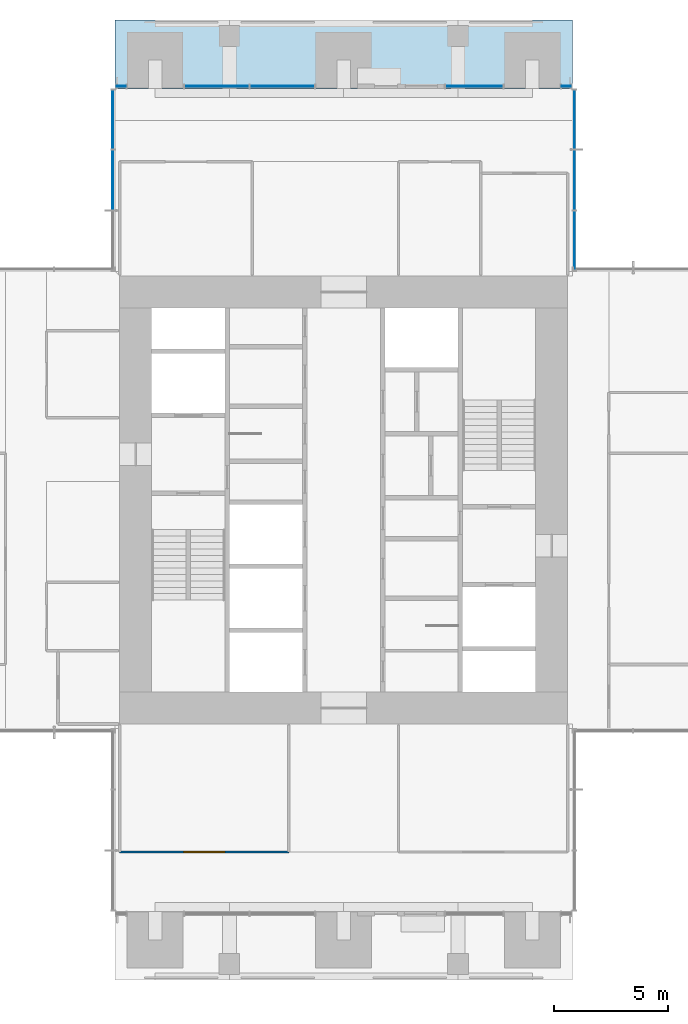
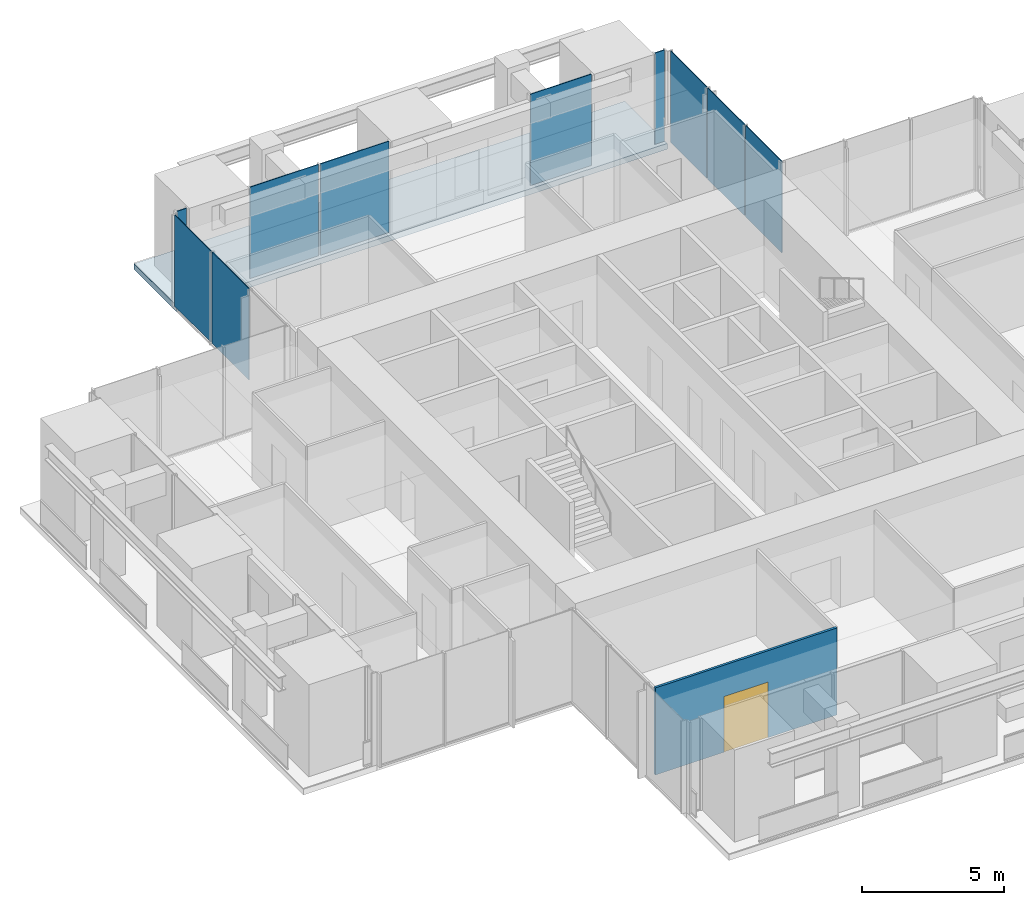
# One storey, part 11 of 17: 10 plates, 1 door, 1 slab, 1 wall, 1 opening, 6 elements without a shape of their own.
"""IFC4 building model written with IfcOpenShell, lengths in metres."""

import ifcopenshell
import ifcopenshell.guid

model = None  # the IFC model being written
_history = None  # IfcOwnerHistory: only IFC2X3 demands one
_inside = {}  # id of a spatial element -> (the spatial element, [elements in it])
_under = {}  # id of a project, library or spatial element -> (it, [spatial elements below it])
_declared = {}  # id of a project -> (the project, [libraries it declares])
_typed = {}  # id of a type object -> (the type object, [elements of that type])
_made_of = {}  # id of a material, layer set ... -> (it, [elements and type objects made of it])


def new_model(schema):
    """Start an empty IFC model of exactly this schema.

    Asked for "IFC4X3", IfcOpenShell would pick the latest addendum, in which some entities
    have other attributes; the version numbers below select the first issue.
    IFC2X3 requires an IfcOwnerHistory on every rooted entity: one is made here for all.
    """
    global model, _history
    if schema == "IFC4X3":
        model = ifcopenshell.file(schema_version=(4, 3, 0, 0))
    else:
        model = ifcopenshell.file(schema=schema)
    _inside.clear()
    _under.clear()
    _declared.clear()
    _typed.clear()
    _made_of.clear()
    _history = None
    if model.schema == "IFC2X3":
        org = make("IfcOrganization", Name="unknown")
        user = make(
            "IfcPersonAndOrganization",
            ThePerson=make("IfcPerson", FamilyName="unknown"),
            TheOrganization=org,
        )
        app = make(
            "IfcApplication",
            ApplicationDeveloper=org,
            Version="unknown",
            ApplicationFullName="unknown",
            ApplicationIdentifier="unknown",
        )
        _history = make(
            "IfcOwnerHistory",
            OwningUser=user,
            OwningApplication=app,
            ChangeAction="ADDED",
            CreationDate=0,
        )
    return model


def make(cls, **values):
    """One entity of the class cls with the attributes given. An attribute that is None is left unset."""
    return model.create_entity(
        cls, **{name: value for name, value in values.items() if value is not None}
    )


def rooted(cls, **values):
    """An entity with a GlobalId (a new one), such as an element, a storey or a relation."""
    return make(cls, GlobalId=ifcopenshell.guid.new(), OwnerHistory=_history, **values)


def si_unit(unit_type, name, prefix=None):
    """IfcSIUnit, for example si_unit("LENGTHUNIT", "METRE", prefix="MILLI")."""
    return make("IfcSIUnit", UnitType=unit_type, Prefix=prefix, Name=name)


def assignment(units):
    """IfcUnitAssignment: the units of a project."""
    return None if units is None else make("IfcUnitAssignment", Units=units)


def point(xyz):
    """IfcCartesianPoint."""
    return None if xyz is None else make("IfcCartesianPoint", Coordinates=xyz)


def direction(xyz):
    """IfcDirection."""
    return None if xyz is None else make("IfcDirection", DirectionRatios=xyz)


def frame(location, z_axis=None, x_axis=None):
    """IfcAxis2Placement3D, a coordinate frame: its origin and axes. An axis left out is left unset."""
    return make(
        "IfcAxis2Placement3D",
        Location=point(location),
        Axis=direction(z_axis),
        RefDirection=direction(x_axis),
    )


def frame_2d(location, x_axis=None):
    """IfcAxis2Placement2D, a coordinate frame in the plane: its origin and x axis."""
    return make(
        "IfcAxis2Placement2D", Location=point(location), RefDirection=direction(x_axis)
    )


def origin():
    """The frame at (0, 0, 0) with its axes left unset."""
    return frame((0.0, 0.0, 0.0))


def origin_2d():
    """The frame at (0, 0) in the plane with its x axis left unset."""
    return frame_2d((0.0, 0.0))


def place(relative_to, where):
    """IfcLocalPlacement: puts the frame where relative to a parent placement (None: the world)."""
    return make(
        "IfcLocalPlacement", PlacementRelTo=relative_to, RelativePlacement=where
    )


def context(
    kind, dimensions, precision=None, world=None, true_north=None, identifier=None
):
    """IfcGeometricRepresentationContext, for example the 3D "Model" context."""
    return make(
        "IfcGeometricRepresentationContext",
        ContextIdentifier=identifier,
        ContextType=kind,
        CoordinateSpaceDimension=dimensions,
        Precision=precision,
        WorldCoordinateSystem=world,
        TrueNorth=true_north,
    )


def subcontext(parent, identifier, kind, view, scale=None):
    """IfcGeometricRepresentationSubContext, for example "Body" below "Model"."""
    return make(
        "IfcGeometricRepresentationSubContext",
        ContextIdentifier=identifier,
        ContextType=kind,
        ParentContext=parent,
        TargetScale=scale,
        TargetView=view,
    )


def project(units=None, contexts=None):
    """IfcProject with its units and contexts."""
    return rooted(
        "IfcProject",
        Name="project",
        RepresentationContexts=contexts,
        UnitsInContext=assignment(units),
    )


def spatial(cls, under=None, at=None, **own):
    """A site, building, storey or space (cls), placed at a placement, below another one or the project."""
    s = rooted(cls, ObjectPlacement=at, **own)
    if under is not None:
        _under.setdefault(under.id(), (under, []))[1].append(s)
    return s


def polyline(points):
    """IfcPolyline through the points."""
    return make("IfcPolyline", Points=[point(p) for p in points])


def profile(cls, at=None, kind="AREA", **sizes):
    """A parametric profile (cls). Its sizes go by their IFC names, for example OverallWidth=200.0."""
    return make(cls, ProfileType=kind, Position=at, **sizes)


def rectangle(**sizes):
    """IfcRectangleProfileDef."""
    return profile("IfcRectangleProfileDef", **sizes)


def outline(outer, holes=None, kind="AREA"):
    """IfcArbitraryClosedProfileDef: a profile drawn as a closed curve; with holes, ...WithVoids."""
    if holes is None:
        return make("IfcArbitraryClosedProfileDef", ProfileType=kind, OuterCurve=outer)
    return make(
        "IfcArbitraryProfileDefWithVoids",
        ProfileType=kind,
        OuterCurve=outer,
        InnerCurves=holes,
    )


def extrude(swept, where, along, depth):
    """IfcExtrudedAreaSolid: the profile swept, set in the frame where, extruded along a direction by depth."""
    return make(
        "IfcExtrudedAreaSolid",
        SweptArea=swept,
        Position=where,
        ExtrudedDirection=direction(along),
        Depth=depth,
    )


def shape(context_of_items, identifier, shape_type, items):
    """IfcShapeRepresentation: the items that make up one representation, for example the "Body"."""
    return make(
        "IfcShapeRepresentation",
        ContextOfItems=context_of_items,
        RepresentationIdentifier=identifier,
        RepresentationType=shape_type,
        Items=items,
    )


def material(Name=None, Category=None):
    """IfcMaterial."""
    return make("IfcMaterial", Name=Name, Category=Category)


def layer(
    of_material, thickness, ventilated=None, Name=None, Category=None, Priority=None
):
    """IfcMaterialLayer: one layer of a wall or slab, of a material (None: an air gap)."""
    return make(
        "IfcMaterialLayer",
        Material=of_material,
        LayerThickness=thickness,
        IsVentilated=ventilated,
        Name=Name,
        Category=Category,
        Priority=Priority,
    )


def layer_set(layers, Name=None):
    """IfcMaterialLayerSet."""
    return make("IfcMaterialLayerSet", MaterialLayers=layers, LayerSetName=Name)


def made_of(thing, what):
    """Note that an element or type object is made of a material, layer set ...; save() writes the relation."""
    if what is not None:
        _made_of.setdefault(what.id(), (what, []))[1].append(thing)
    return thing


def type_object(cls, material=None, **own):
    """A type object (cls), such as IfcWallType, which elements share."""
    return made_of(rooted(cls, **own), material)


def element(
    cls,
    number,
    at=None,
    inside=None,
    cuts=None,
    type_object=None,
    material=None,
    context=None,
    identifier="Body",
    shape_type=None,
    held_by="IfcProductDefinitionShape",
    body=None,
    shapes=None,
    **own,
):
    """One element of the class cls, such as IfcWall. Its Tag is "e" and its number.

    at: its placement. inside: the storey or other place that contains it. cuts: it is an
    opening in that element (IfcRelVoidsElement). A single representation is given by context,
    identifier, shape_type and body (its items); several are given by shapes. held_by: the class
    of the entity that holds the representations. save() writes the other relations.
    """
    e = rooted(cls, Tag="e%d" % number, ObjectPlacement=at, **own)
    if body is not None:
        shapes = [shape(context, identifier, shape_type, body)]
    if shapes is not None:
        e.Representation = make(held_by, Representations=shapes)
    if inside is not None:
        _inside.setdefault(inside.id(), (inside, []))[1].append(e)
    if cuts is not None:
        rooted(
            "IfcRelVoidsElement", RelatingBuildingElement=cuts, RelatedOpeningElement=e
        )
    if type_object is not None:
        _typed.setdefault(type_object.id(), (type_object, []))[1].append(e)
    return made_of(e, material)


def fill(opening, filler):
    """IfcRelFillsElement: the door or window that sits in an opening."""
    return rooted(
        "IfcRelFillsElement",
        RelatingOpeningElement=opening,
        RelatedBuildingElement=filler,
    )


def aggregate(whole, parts):
    """IfcRelAggregates: a whole, such as a stair, and the parts it consists of."""
    return rooted("IfcRelAggregates", RelatingObject=whole, RelatedObjects=parts)


def save(model, path):
    """Write the relations noted so far, then the file.

    IfcRelAggregates (storeys below a building ...), IfcRelContainedInSpatialStructure (elements
    in a storey), IfcRelDefinesByType, IfcRelAssociatesMaterial and IfcRelDeclares: one each for
    every whole, place, type object, material and project.
    """
    for whole, parts in _under.values():
        aggregate(whole, parts)
    for where, things in _inside.values():
        rooted(
            "IfcRelContainedInSpatialStructure",
            RelatedElements=things,
            RelatingStructure=where,
        )
    for kind, things in _typed.values():
        rooted("IfcRelDefinesByType", RelatedObjects=things, RelatingType=kind)
    for what, things in _made_of.values():
        rooted("IfcRelAssociatesMaterial", RelatedObjects=things, RelatingMaterial=what)
    for by, libraries in _declared.values():
        rooted("IfcRelDeclares", RelatingContext=by, RelatedDefinitions=libraries)
    model.write(path)


model = new_model("IFC4")

# Units and contexts
model_context = context("Model", 3, precision=1e-05, world=origin(), true_north=direction((0.0, 1.0)))
body_context = subcontext(model_context, "Body", "Model", "MODEL_VIEW")
ifc_project = project(units=[si_unit("LENGTHUNIT", "METRE"), si_unit("AREAUNIT", "SQUARE_METRE"), si_unit("VOLUMEUNIT", "CUBIC_METRE"), si_unit("PLANEANGLEUNIT", "RADIAN"), si_unit("MASSUNIT", "GRAM", prefix="KILO")], contexts=[model_context])

# Site, building, storey
site_placement = place(None, origin())
site = spatial("IfcSite", under=ifc_project, at=site_placement, CompositionType="ELEMENT")
building_placement = place(site_placement, origin())
building = spatial("IfcBuilding", under=site, at=building_placement, Name="Svetlomir Tower", CompositionType="ELEMENT")
storey_placement = place(building_placement, frame((0.0, 0.0, 210.5)))
storey = spatial("IfcBuildingStorey", under=building, at=storey_placement, Name="L50", CompositionType="ELEMENT", Elevation=210.5)

# Curtain wall, plates
ifc_material_1 = material(Name="Bronze anodised aluminium curtain wall", Category="aluminium")
curtain_wall_type = type_object("IfcCurtainWallType", Name="CURTAIN WALL CW1 TOWER OFFICE", PredefinedType="NOTDEFINED", material=ifc_material_1)
curtain_wall_1_placement = place(storey_placement, origin())
curtain_wall_1 = element("IfcCurtainWall", 1, at=curtain_wall_1_placement, inside=storey, type_object=curtain_wall_type, Name="Curtain wall CW1 L50", PredefinedType="NOTDEFINED")
ifc_material_2 = material(Name="Tinted double glazed unit", Category="glass")
ifc_layer_1 = layer(ifc_material_2, 0.031982421875)
ifc_layer_set_1 = layer_set([ifc_layer_1], Name="Tinted double glazed unit")
plate_type = type_object("IfcPlateType", Name="CW1 GLAZED PANEL 32", PredefinedType="CURTAIN_PANEL", material=ifc_layer_set_1)
plate_1_placement = place(storey_placement, frame((31.10009765625, 32.349609375, 0.06494140625), z_axis=(0.0, 0.0, 1.0), x_axis=(0.0, 1.0, 0.0)))
plate_1 = element("IfcPlate", 2, at=plate_1_placement, type_object=plate_type, Name="CW1 panel 1.1", PredefinedType="CURTAIN_PANEL", context=body_context, shape_type="SweptSolid", body=[
    extrude(rectangle(XDim=2.569091796875, YDim=0.031982421875, at=origin_2d()), origin(), (0.0, 0.0, 1.0), 3.93505859375),
])
plate_2_placement = place(storey_placement, frame((31.10009765625, 35.0, 0.06494140625), z_axis=(0.0, 0.0, 1.0), x_axis=(0.0, 1.0, 0.0)))
plate_2 = element("IfcPlate", 3, at=plate_2_placement, type_object=plate_type, Name="CW1 panel 2.1", PredefinedType="CURTAIN_PANEL", context=body_context, shape_type="SweptSolid", body=[
    extrude(rectangle(XDim=2.6015625, YDim=0.031982421875, at=origin_2d()), origin(), (0.0, 0.0, 1.0), 3.93505859375),
])
plate_3_placement = place(storey_placement, frame((31.10009765625, 37.650390625, 0.06494140625), z_axis=(0.0, 0.0, 1.0), x_axis=(0.0, 1.0, 0.0)))
plate_3 = element("IfcPlate", 4, at=plate_3_placement, type_object=plate_type, Name="CW1 panel 3.1", PredefinedType="CURTAIN_PANEL", context=body_context, shape_type="SweptSolid", body=[
    extrude(rectangle(XDim=2.569091796875, YDim=0.031982421875, at=origin_2d()), origin(), (0.0, 0.0, 1.0), 3.93505859375),
])
aggregate(curtain_wall_1, [plate_1, plate_2, plate_3])

# Curtain wall, plate
curtain_wall_2_placement = place(storey_placement, origin())
curtain_wall_2 = element("IfcCurtainWall", 5, at=curtain_wall_2_placement, inside=storey, type_object=curtain_wall_type, Name="Curtain wall CW1 L50", PredefinedType="NOTDEFINED")
plate_4_placement = place(storey_placement, frame((30.737548828125, 39.10009765625, 0.06494140625), z_axis=(0.0, 0.0, 1.0), x_axis=(-1.0, 0.0, 0.0)))
plate_4 = element("IfcPlate", 6, at=plate_4_placement, type_object=plate_type, Name="CW1 panel 1.1", PredefinedType="CURTAIN_PANEL", context=body_context, shape_type="SweptSolid", body=[
    extrude(rectangle(XDim=0.39501953125, YDim=0.031982421875, at=origin_2d()), origin(), (0.0, 0.0, 1.0), 3.93505859375),
])
aggregate(curtain_wall_2, [plate_4])

curtain_wall_3_placement = place(storey_placement, origin())
curtain_wall_3 = element("IfcCurtainWall", 7, at=curtain_wall_3_placement, inside=storey, type_object=curtain_wall_type, Name="Curtain wall CW1 L50", PredefinedType="NOTDEFINED")
plate_5_placement = place(storey_placement, frame((26.71240234375, 39.10009765625, 0.06494140625), z_axis=(0.0, 0.0, 1.0), x_axis=(-1.0, 0.0, 0.0)))
plate_5 = element("IfcPlate", 8, at=plate_5_placement, type_object=plate_type, Name="CW1 panel 1.1", PredefinedType="CURTAIN_PANEL", context=body_context, shape_type="SweptSolid", body=[
    extrude(rectangle(XDim=2.4951171875, YDim=0.031982421875, at=origin_2d()), origin(), (0.0, 0.0, 1.0), 3.93505859375),
])
aggregate(curtain_wall_3, [plate_5])

# Curtain wall, plates
curtain_wall_4_placement = place(storey_placement, origin())
curtain_wall_4 = element("IfcCurtainWall", 9, at=curtain_wall_4_placement, inside=storey, type_object=curtain_wall_type, Name="Curtain wall CW1 L50", PredefinedType="NOTDEFINED")
plate_6_placement = place(storey_placement, frame((18.308837890625, 39.10009765625, 0.06494140625), z_axis=(0.0, 0.0, 1.0), x_axis=(-1.0, 0.0, 0.0)))
plate_6 = element("IfcPlate", 10, at=plate_6_placement, type_object=plate_type, Name="CW1 panel 1.1", PredefinedType="CURTAIN_PANEL", context=body_context, shape_type="SweptSolid", body=[
    extrude(rectangle(XDim=2.802490234375, YDim=0.031982421875, at=origin_2d()), origin(), (0.0, 0.0, 1.0), 3.93505859375),
])
plate_7_placement = place(storey_placement, frame((15.441162109375, 39.10009765625, 0.06494140625), z_axis=(0.0, 0.0, 1.0), x_axis=(-1.0, 0.0, 0.0)))
plate_7 = element("IfcPlate", 11, at=plate_7_placement, type_object=plate_type, Name="CW1 panel 2.1", PredefinedType="CURTAIN_PANEL", context=body_context, shape_type="SweptSolid", body=[
    extrude(rectangle(XDim=2.802490234375, YDim=0.031982421875, at=origin_2d()), origin(), (0.0, 0.0, 1.0), 3.93505859375),
])
aggregate(curtain_wall_4, [plate_6, plate_7])

# Curtain wall, plate
curtain_wall_5_placement = place(storey_placement, origin())
curtain_wall_5 = element("IfcCurtainWall", 12, at=curtain_wall_5_placement, inside=storey, type_object=curtain_wall_type, Name="Curtain wall CW1 L50", PredefinedType="NOTDEFINED")
plate_8_placement = place(storey_placement, frame((11.262451171875, 39.10009765625, 0.06494140625), z_axis=(0.0, 0.0, 1.0), x_axis=(-1.0, 0.0, 0.0)))
plate_8 = element("IfcPlate", 13, at=plate_8_placement, type_object=plate_type, Name="CW1 panel 1.1", PredefinedType="CURTAIN_PANEL", context=body_context, shape_type="SweptSolid", body=[
    extrude(rectangle(XDim=0.39501953125, YDim=0.031982421875, at=origin_2d()), origin(), (0.0, 0.0, 1.0), 3.93505859375),
])
aggregate(curtain_wall_5, [plate_8])

# Curtain wall, plates
curtain_wall_6_placement = place(storey_placement, origin())
curtain_wall_6 = element("IfcCurtainWall", 14, at=curtain_wall_6_placement, inside=storey, type_object=curtain_wall_type, Name="Curtain wall CW1 L50", PredefinedType="NOTDEFINED")
plate_9_placement = place(storey_placement, frame((10.89990234375, 37.650390625, 0.06494140625), z_axis=(0.0, 0.0, 1.0), x_axis=(0.0, -1.0, 0.0)))
plate_9 = element("IfcPlate", 15, at=plate_9_placement, type_object=plate_type, Name="CW1 panel 1.1", PredefinedType="CURTAIN_PANEL", context=body_context, shape_type="SweptSolid", body=[
    extrude(rectangle(XDim=2.569091796875, YDim=0.031982421875, at=origin_2d()), origin(), (0.0, 0.0, 1.0), 3.93505859375),
])
plate_10_placement = place(storey_placement, frame((10.89990234375, 35.0, 0.06494140625), z_axis=(0.0, 0.0, 1.0), x_axis=(0.0, -1.0, 0.0)))
plate_10 = element("IfcPlate", 16, at=plate_10_placement, type_object=plate_type, Name="CW1 panel 2.1", PredefinedType="CURTAIN_PANEL", context=body_context, shape_type="SweptSolid", body=[
    extrude(rectangle(XDim=2.6015625, YDim=0.031982421875, at=origin_2d()), origin(), (0.0, 0.0, 1.0), 3.93505859375),
])
aggregate(curtain_wall_6, [plate_9, plate_10])

# Slab
ifc_material_3 = material(Name="Concrete C60/75", Category="concrete")
ifc_layer_2 = layer(ifc_material_3, 0.25)
ifc_layer_set_2 = layer_set([ifc_layer_2], Name="Concrete C60/75")
slab_type = type_object("IfcSlabType", Name="PLANTED LOGGIA SLAB 250", PredefinedType="FLOOR", material=ifc_layer_set_2)
slab_placement = place(storey_placement, frame((0.0, 0.0, -0.25)))
element("IfcSlab", 17, at=slab_placement, inside=storey, type_object=slab_type, Name="L50 N planted loggia", PredefinedType="FLOOR", context=body_context, shape_type="SweptSolid", body=[
    extrude(outline(polyline([(11.0, 39.0), (31.0, 39.0), (31.0, 42.0), (11.0, 42.0), (11.0, 39.0)])), origin(), (0.0, 0.0, 1.0), 0.25),
])

# Wall, opening, door
ifc_material_4 = material(Name="Framed laminated glass partition", Category="glass")
ifc_layer_3 = layer(ifc_material_4, 0.10009765625)
ifc_layer_set_3 = layer_set([ifc_layer_3], Name="Framed laminated glass partition")
wall_type = type_object("IfcWallType", Name="GLAZED PARTITION 100", PredefinedType="PARTITIONING", material=ifc_layer_set_3)
wall_placement = place(storey_placement, frame((11.199951171875, 5.60009765625, 0.0), z_axis=(0.0, 0.0, 1.0), x_axis=(1.0, 0.0, 0.0)))
wall = element("IfcWall", 18, at=wall_placement, inside=storey, type_object=wall_type, Name="Glazed partition L50", PredefinedType="PARTITIONING", context=body_context, shape_type="SweptSolid", body=[
    extrude(rectangle(XDim=7.400146484375, YDim=0.10009765625, at=frame_2d((3.7001953125, 0.0))), origin(), (0.0, 0.0, 1.0), 3.75),
])
opening_placement = place(wall_placement, frame((2.800048828125, 0.0, 0.0)))
opening = element("IfcOpeningElement", 19, at=opening_placement, cuts=wall, Name="Opening DD", PredefinedType="OPENING", context=body_context, shape_type="SweptSolid", body=[
    extrude(rectangle(XDim=1.800048828125, YDim=2.39990234375, at=frame_2d((0.89990234375, 1.199951171875))), frame((0.0, 0.06005859375, 0.0), z_axis=(0.0, -1.0, 0.0), x_axis=(1.0, 0.0, 0.0)), (0.0, 0.0, 1.0), 0.1201171875),
])
ifc_material_5 = material(Name="Timber door", Category="wood")
door_type = type_object("IfcDoorType", Name="DOOR DD 1800x2400", OperationType="DOUBLE_DOOR_SINGLE_SWING", PredefinedType="DOOR", material=ifc_material_5)
door_placement = place(opening_placement, origin())
door = element("IfcDoor", 20, at=door_placement, inside=storey, type_object=door_type, Name="Lecture room, 30 seats door L50", OperationType="DOUBLE_DOOR_SINGLE_SWING", OverallHeight=2.39990234375, OverallWidth=1.800048828125, PredefinedType="DOOR", context=body_context, shape_type="SweptSolid", body=[
    extrude(rectangle(XDim=1.800048828125, YDim=2.39990234375, at=frame_2d((0.89990234375, 1.199951171875))), frame((0.0, 0.02490234375, 0.0), z_axis=(0.0, -1.0, 0.0), x_axis=(1.0, 0.0, 0.0)), (0.0, 0.0, 1.0), 0.050048828125),
])
fill(opening, door)

save(model, "model.ifc")
